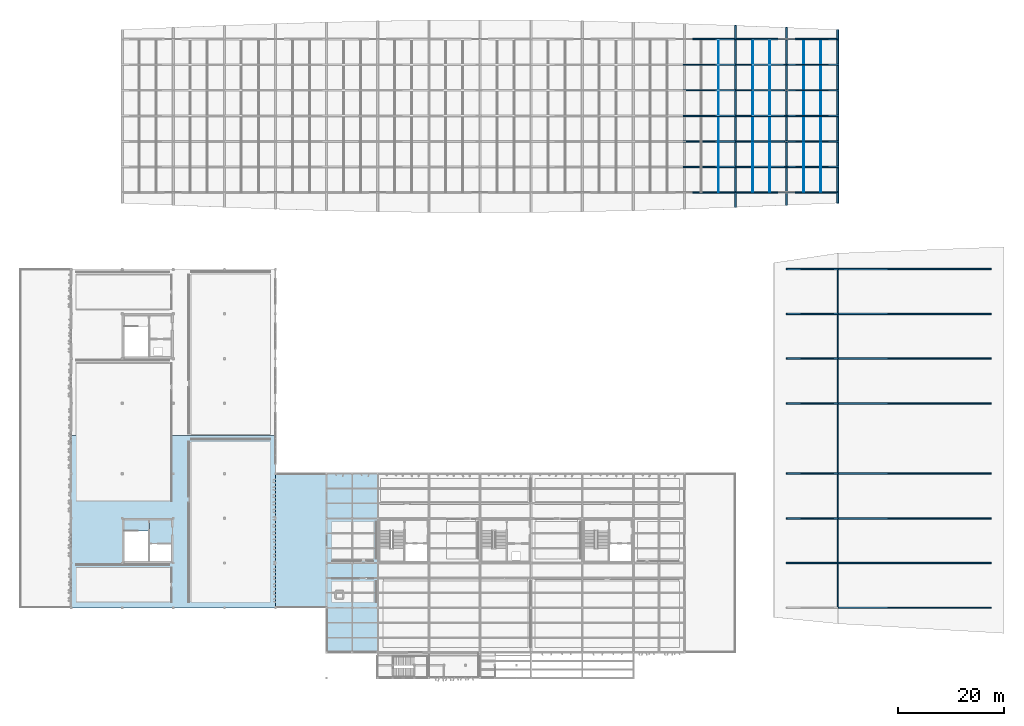
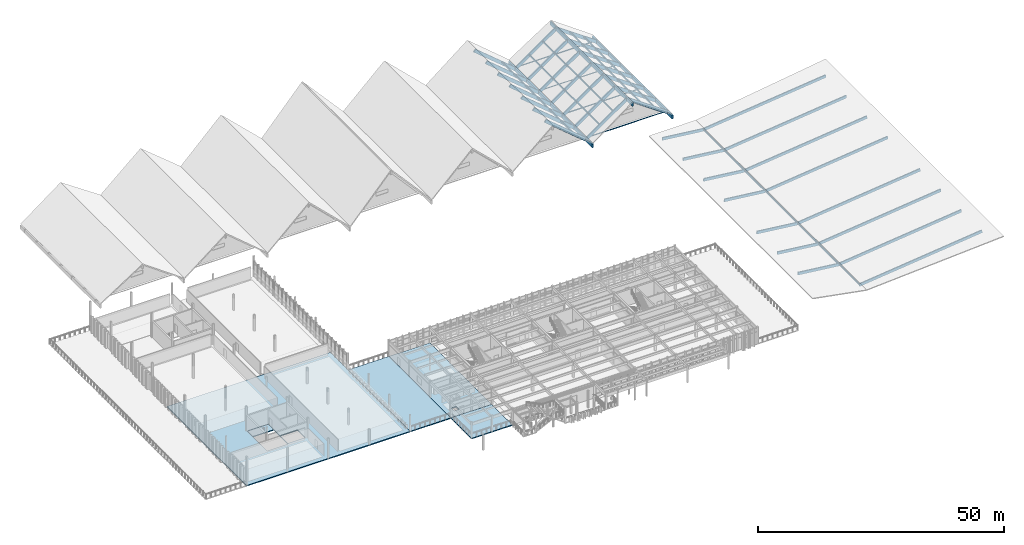
# One storey, part 17 of 42: 62 members, 7 beams, 5 slabs.
"""IFC4 building model written with IfcOpenShell, lengths in metres."""

from ifc_helpers import new_model, si_unit, direction, frame, origin, origin_2d, place, context, subcontext, project, spatial, polyline, rectangle, hollow_circle, i_section, outline, extrude, material, layer, layer_set, material_profile, profile_set, type_object, element, save


model = new_model("IFC4")

# Units and contexts
model_context = context("Model", 3, precision=1e-05, world=origin(), true_north=direction((0.0, 1.0)))
body_context = subcontext(model_context, "Body", "Model", "MODEL_VIEW")
ifc_project = project(units=[si_unit("LENGTHUNIT", "METRE"), si_unit("AREAUNIT", "SQUARE_METRE"), si_unit("VOLUMEUNIT", "CUBIC_METRE"), si_unit("PLANEANGLEUNIT", "RADIAN"), si_unit("MASSUNIT", "GRAM", prefix="KILO")], contexts=[model_context])

# Site, building, storey
site_placement = place(None, origin())
site = spatial("IfcSite", under=ifc_project, at=site_placement, CompositionType="ELEMENT")
building_placement = place(site_placement, origin())
building = spatial("IfcBuilding", under=site, at=building_placement, Name="Kolvemor Railside Polytechnic", CompositionType="ELEMENT")
storey_placement = place(building_placement, frame((0.0, 0.0, 14.39990234375)))
storey = spatial("IfcBuildingStorey", under=building, at=storey_placement, Name="L03", CompositionType="ELEMENT", Elevation=14.39990234375)

# Beams
ifc_material_1 = material(Name="Steel S355", Category="steel")
ifc_material_profile_1 = material_profile(ifc_material_1, i_section(OverallWidth=0.178955078125, OverallDepth=0.409912109375, WebThickness=0.0087890625, FlangeThickness=0.014404296875, FilletRadius=0.010986328125, at=origin_2d()), Name="W410x67")
ifc_profile_set_1 = profile_set([ifc_material_profile_1], Name="Steel S355")
beam_type = type_object("IfcBeamType", Name="BM-ST-ROOF2", PredefinedType="BEAM", material=ifc_profile_set_1)
beam_1_placement = place(storey_placement, frame((153.60009765625, 13.199951171875, -0.449951171875), z_axis=(0.0, 1.0, 0.0), x_axis=(-1.0, 0.0, 0.0)))
element("IfcBeam", 1, at=beam_1_placement, inside=storey, type_object=beam_type, Name="Refectory Wing Fold Beam B-ST1-13", PredefinedType="BEAM", context=body_context, shape_type="SweptSolid", body=[
    extrude(i_section(OverallWidth=0.178955078125, OverallDepth=0.409912109375, WebThickness=0.0087890625, FlangeThickness=0.014404296875, FilletRadius=0.010986328125, at=origin_2d()), origin(), (0.0, 0.0, 1.0), 8.400146484375),
])
for number, where, z_axis, x_axis, name in (
    (2, (153.60009765625, 21.60009765625, -0.449951171875), (0.0, 1.0, 0.0), (-1.0, 0.0, 0.0), "Refectory Wing Fold Beam B-ST1-21"),
    (3, (153.60009765625, 30.0, -0.449951171875), (0.0, 1.0, 0.0), (-1.0, 0.0, 0.0), "Refectory Wing Fold Beam B-ST1-30"),
):
    element("IfcBeam", number, at=place(storey_placement, frame(where, z_axis=z_axis, x_axis=x_axis)), inside=storey, type_object=beam_type, Name=name, PredefinedType="BEAM", context=body_context, shape_type="SweptSolid", body=[
        extrude(i_section(OverallWidth=0.178955078125, OverallDepth=0.409912109375, WebThickness=0.0087890625, FlangeThickness=0.014404296875, FilletRadius=0.010986328125, at=origin_2d()), origin(), (0.0, 0.0, 1.0), 8.39990234375),
    ])
beam_2_placement = place(storey_placement, frame((153.60009765625, 38.39990234375, -0.449951171875), z_axis=(0.0, 1.0, 0.0), x_axis=(-1.0, 0.0, 0.0)))
element("IfcBeam", 4, at=beam_2_placement, inside=storey, type_object=beam_type, Name="Refectory Wing Fold Beam B-ST1-38", PredefinedType="BEAM", context=body_context, shape_type="SweptSolid", body=[
    extrude(i_section(OverallWidth=0.178955078125, OverallDepth=0.409912109375, WebThickness=0.0087890625, FlangeThickness=0.014404296875, FilletRadius=0.010986328125, at=origin_2d()), origin(), (0.0, 0.0, 1.0), 13.2001953125),
])
for number, where, z_axis, x_axis, name in (
    (5, (153.60009765625, 51.60009765625, -0.449951171875), (0.0, 1.0, 0.0), (-1.0, 0.0, 0.0), "Refectory Wing Fold Beam B-ST1-51"),
    (6, (153.60009765625, 60.0, -0.449951171875), (0.0, 1.0, 0.0), (-1.0, 0.0, 0.0), "Refectory Wing Fold Beam B-ST1-60"),
):
    element("IfcBeam", number, at=place(storey_placement, frame(where, z_axis=z_axis, x_axis=x_axis)), inside=storey, type_object=beam_type, Name=name, PredefinedType="BEAM", context=body_context, shape_type="SweptSolid", body=[
        extrude(i_section(OverallWidth=0.178955078125, OverallDepth=0.409912109375, WebThickness=0.0087890625, FlangeThickness=0.014404296875, FilletRadius=0.010986328125, at=origin_2d()), origin(), (0.0, 0.0, 1.0), 8.39990234375),
    ])
beam_3_placement = place(storey_placement, frame((153.60009765625, 68.39990234375, -0.449951171875), z_axis=(0.0, 1.0, 0.0), x_axis=(-1.0, 0.0, 0.0)))
element("IfcBeam", 7, at=beam_3_placement, inside=storey, type_object=beam_type, Name="Refectory Wing Fold Beam B-ST1-68", PredefinedType="BEAM", context=body_context, shape_type="SweptSolid", body=[
    extrude(i_section(OverallWidth=0.178955078125, OverallDepth=0.409912109375, WebThickness=0.0087890625, FlangeThickness=0.014404296875, FilletRadius=0.010986328125, at=origin_2d()), origin(), (0.0, 0.0, 1.0), 8.400146484375),
])

# Members
ifc_material_2 = material(Name="Glulam GL28h", Category="wood")
ifc_material_profile_2 = material_profile(ifc_material_2, rectangle(XDim=0.31494140625, YDim=0.89990234375, at=origin_2d()), Name="GL315x900")
ifc_profile_set_2 = profile_set([ifc_material_profile_2], Name="Glulam GL28h")
member_type_1 = type_object("IfcMemberType", Name="MEM-FP-CHORD", PredefinedType="CHORD", material=ifc_profile_set_2)
member_1_placement = place(storey_placement, frame((134.39990234375, 88.4189453125, -4.96875), z_axis=(0.0, 1.0, 0.0), x_axis=(-1.0, 0.0, 0.0)))
element("IfcMember", 8, at=member_1_placement, inside=storey, type_object=member_type_1, Name="Folded-Plate Valley Chord CH-V7-1", PredefinedType="CHORD", context=body_context, shape_type="SweptSolid", body=[
    extrude(rectangle(XDim=0.31494140625, YDim=0.89990234375, at=origin_2d()), origin(), (0.0, 0.0, 1.0), 2.781005859375),
])
member_2_placement = place(storey_placement, frame((134.39990234375, 91.199951171875, -4.96875), z_axis=(0.0, 1.0, 0.0), x_axis=(-1.0, 0.0, 0.0)))
element("IfcMember", 9, at=member_2_placement, inside=storey, type_object=member_type_1, Name="Folded-Plate Valley Chord CH-V7-2", PredefinedType="CHORD", context=body_context, shape_type="SweptSolid", body=[
    extrude(rectangle(XDim=0.31494140625, YDim=0.89990234375, at=origin_2d()), origin(), (0.0, 0.0, 1.0), 9.60009765625),
])
member_3_placement = place(storey_placement, frame((134.39990234375, 100.800048828125, -4.96875), z_axis=(0.0, 1.0, 0.0), x_axis=(-1.0, 0.0, 0.0)))
element("IfcMember", 10, at=member_3_placement, inside=storey, type_object=member_type_1, Name="Folded-Plate Valley Chord CH-V7-3", PredefinedType="CHORD", context=body_context, shape_type="SweptSolid", body=[
    extrude(rectangle(XDim=0.31494140625, YDim=0.89990234375, at=origin_2d()), origin(), (0.0, 0.0, 1.0), 19.199951171875),
])
member_4_placement = place(storey_placement, frame((134.39990234375, 120.0, -4.96875), z_axis=(0.0, 1.0, 0.0), x_axis=(-1.0, 0.0, 0.0)))
element("IfcMember", 11, at=member_4_placement, inside=storey, type_object=member_type_1, Name="Folded-Plate Valley Chord CH-V7-4", PredefinedType="CHORD", context=body_context, shape_type="SweptSolid", body=[
    extrude(rectangle(XDim=0.31494140625, YDim=0.89990234375, at=origin_2d()), origin(), (0.0, 0.0, 1.0), 2.5810546875),
])
member_5_placement = place(storey_placement, frame((153.60009765625, 89.199951171875, -4.96875), z_axis=(0.0, 1.0, 0.0), x_axis=(-1.0, 0.0, 0.0)))
element("IfcMember", 12, at=member_5_placement, inside=storey, type_object=member_type_1, Name="Folded-Plate Valley Chord CH-V8-1", PredefinedType="CHORD", context=body_context, shape_type="SweptSolid", body=[
    extrude(rectangle(XDim=0.31494140625, YDim=0.89990234375, at=origin_2d()), origin(), (0.0, 0.0, 1.0), 2.0),
])
member_6_placement = place(storey_placement, frame((153.60009765625, 91.199951171875, -4.96875), z_axis=(0.0, 1.0, 0.0), x_axis=(-1.0, 0.0, 0.0)))
element("IfcMember", 13, at=member_6_placement, inside=storey, type_object=member_type_1, Name="Folded-Plate Valley Chord CH-V8-2", PredefinedType="CHORD", context=body_context, shape_type="SweptSolid", body=[
    extrude(rectangle(XDim=0.31494140625, YDim=0.89990234375, at=origin_2d()), origin(), (0.0, 0.0, 1.0), 9.60009765625),
])
member_7_placement = place(storey_placement, frame((153.60009765625, 100.800048828125, -4.96875), z_axis=(0.0, 1.0, 0.0), x_axis=(-1.0, 0.0, 0.0)))
element("IfcMember", 14, at=member_7_placement, inside=storey, type_object=member_type_1, Name="Folded-Plate Valley Chord CH-V8-3", PredefinedType="CHORD", context=body_context, shape_type="SweptSolid", body=[
    extrude(rectangle(XDim=0.31494140625, YDim=0.89990234375, at=origin_2d()), origin(), (0.0, 0.0, 1.0), 19.199951171875),
])
member_8_placement = place(storey_placement, frame((153.60009765625, 120.0, -4.96875), z_axis=(0.0, 1.0, 0.0), x_axis=(-1.0, 0.0, 0.0)))
element("IfcMember", 15, at=member_8_placement, inside=storey, type_object=member_type_1, Name="Folded-Plate Valley Chord CH-V8-4", PredefinedType="CHORD", context=body_context, shape_type="SweptSolid", body=[
    extrude(rectangle(XDim=0.31494140625, YDim=0.89990234375, at=origin_2d()), origin(), (0.0, 0.0, 1.0), 1.800048828125),
])
member_9_placement = place(storey_placement, frame((144.0, 88.799072265625, 1.75732421875), z_axis=(0.0, 1.0, 0.0), x_axis=(-1.0, 0.0, 0.0)))
element("IfcMember", 16, at=member_9_placement, inside=storey, type_object=member_type_1, Name="Folded-Plate Ridge Chord CH-R7-1", PredefinedType="CHORD", context=body_context, shape_type="SweptSolid", body=[
    extrude(rectangle(XDim=0.31494140625, YDim=0.89990234375, at=origin_2d()), origin(), (0.0, 0.0, 1.0), 2.40087890625),
])
member_10_placement = place(storey_placement, frame((144.0, 91.199951171875, 1.75732421875), z_axis=(0.0, 1.0, 0.0), x_axis=(-1.0, 0.0, 0.0)))
element("IfcMember", 17, at=member_10_placement, inside=storey, type_object=member_type_1, Name="Folded-Plate Ridge Chord CH-R7-2", PredefinedType="CHORD", context=body_context, shape_type="SweptSolid", body=[
    extrude(rectangle(XDim=0.31494140625, YDim=0.89990234375, at=origin_2d()), origin(), (0.0, 0.0, 1.0), 9.60009765625),
])
member_11_placement = place(storey_placement, frame((144.0, 100.800048828125, 1.75732421875), z_axis=(0.0, 1.0, 0.0), x_axis=(-1.0, 0.0, 0.0)))
element("IfcMember", 18, at=member_11_placement, inside=storey, type_object=member_type_1, Name="Folded-Plate Ridge Chord CH-R7-3", PredefinedType="CHORD", context=body_context, shape_type="SweptSolid", body=[
    extrude(rectangle(XDim=0.31494140625, YDim=0.89990234375, at=origin_2d()), origin(), (0.0, 0.0, 1.0), 19.199951171875),
])
member_12_placement = place(storey_placement, frame((144.0, 120.0, 1.75732421875), z_axis=(0.0, 1.0, 0.0), x_axis=(-1.0, 0.0, 0.0)))
element("IfcMember", 19, at=member_12_placement, inside=storey, type_object=member_type_1, Name="Folded-Plate Ridge Chord CH-R7-4", PredefinedType="CHORD", context=body_context, shape_type="SweptSolid", body=[
    extrude(rectangle(XDim=0.31494140625, YDim=0.89990234375, at=origin_2d()), origin(), (0.0, 0.0, 1.0), 2.200927734375),
])
ifc_material_3 = material(Name="Glulam GL28h", Category="wood")
ifc_material_profile_3 = material_profile(ifc_material_3, rectangle(XDim=0.18505859375, YDim=0.360107421875, at=origin_2d()), Name="GL185x360")
ifc_profile_set_3 = profile_set([ifc_material_profile_3], Name="Glulam GL28h")
member_type_2 = type_object("IfcMemberType", Name="MEM-FP-PURLIN", PredefinedType="PURLIN", material=ifc_profile_set_3)
member_13_placement = place(storey_placement, frame((131.199951171875, 91.199951171875, -2.080078125), z_axis=(0.0, 1.0, 0.0), x_axis=(-1.0, 0.0, 0.0)))
element("IfcMember", 20, at=member_13_placement, inside=storey, type_object=member_type_2, Name="Folded-Plate Purlin PR-E6-1", PredefinedType="PURLIN", context=body_context, shape_type="SweptSolid", body=[
    extrude(rectangle(XDim=0.18505859375, YDim=0.360107421875, at=origin_2d()), origin(), (0.0, 0.0, 1.0), 9.60009765625),
])
member_14_placement = place(storey_placement, frame((131.199951171875, 100.800048828125, -2.080078125), z_axis=(0.0, 1.0, 0.0), x_axis=(-1.0, 0.0, 0.0)))
element("IfcMember", 21, at=member_14_placement, inside=storey, type_object=member_type_2, Name="Folded-Plate Purlin PR-E6-1", PredefinedType="PURLIN", context=body_context, shape_type="SweptSolid", body=[
    extrude(rectangle(XDim=0.18505859375, YDim=0.360107421875, at=origin_2d()), origin(), (0.0, 0.0, 1.0), 19.199951171875),
])
for number, where, z_axis, x_axis, name in (
    (22, (137.60009765625, 91.199951171875, -2.478759765625), (0.0, 1.0, 0.0), (-1.0, 0.0, 0.0), "Folded-Plate Purlin PR-W7-1"),
    (23, (150.39990234375, 91.199951171875, -2.478759765625), (0.0, 1.0, 0.0), (-1.0, 0.0, 0.0), "Folded-Plate Purlin PR-E7-1"),
):
    element("IfcMember", number, at=place(storey_placement, frame(where, z_axis=z_axis, x_axis=x_axis)), inside=storey, type_object=member_type_2, Name=name, PredefinedType="PURLIN", context=body_context, shape_type="SweptSolid", body=[
        extrude(rectangle(XDim=0.18505859375, YDim=0.360107421875, at=origin_2d()), origin(), (0.0, 0.0, 1.0), 9.60009765625),
    ])
for number, where, z_axis, x_axis, name in (
    (24, (137.60009765625, 100.800048828125, -2.478759765625), (0.0, 1.0, 0.0), (-1.0, 0.0, 0.0), "Folded-Plate Purlin PR-W7-1"),
    (25, (150.39990234375, 100.800048828125, -2.478759765625), (0.0, 1.0, 0.0), (-1.0, 0.0, 0.0), "Folded-Plate Purlin PR-E7-1"),
):
    element("IfcMember", number, at=place(storey_placement, frame(where, z_axis=z_axis, x_axis=x_axis)), inside=storey, type_object=member_type_2, Name=name, PredefinedType="PURLIN", context=body_context, shape_type="SweptSolid", body=[
        extrude(rectangle(XDim=0.18505859375, YDim=0.360107421875, at=origin_2d()), origin(), (0.0, 0.0, 1.0), 19.199951171875),
    ])
for number, where, z_axis, x_axis, name in (
    (26, (140.800048828125, 91.199951171875, -0.245361328125), (0.0, 1.0, 0.0), (-1.0, 0.0, 0.0), "Folded-Plate Purlin PR-W7-2"),
    (27, (147.199951171875, 91.199951171875, -0.245361328125), (0.0, 1.0, 0.0), (-1.0, 0.0, 0.0), "Folded-Plate Purlin PR-E7-2"),
):
    element("IfcMember", number, at=place(storey_placement, frame(where, z_axis=z_axis, x_axis=x_axis)), inside=storey, type_object=member_type_2, Name=name, PredefinedType="PURLIN", context=body_context, shape_type="SweptSolid", body=[
        extrude(rectangle(XDim=0.18505859375, YDim=0.360107421875, at=origin_2d()), origin(), (0.0, 0.0, 1.0), 9.60009765625),
    ])
for number, where, z_axis, x_axis, name in (
    (28, (140.800048828125, 100.800048828125, -0.245361328125), (0.0, 1.0, 0.0), (-1.0, 0.0, 0.0), "Folded-Plate Purlin PR-W7-2"),
    (29, (147.199951171875, 100.800048828125, -0.245361328125), (0.0, 1.0, 0.0), (-1.0, 0.0, 0.0), "Folded-Plate Purlin PR-E7-2"),
):
    element("IfcMember", number, at=place(storey_placement, frame(where, z_axis=z_axis, x_axis=x_axis)), inside=storey, type_object=member_type_2, Name=name, PredefinedType="PURLIN", context=body_context, shape_type="SweptSolid", body=[
        extrude(rectangle(XDim=0.18505859375, YDim=0.360107421875, at=origin_2d()), origin(), (0.0, 0.0, 1.0), 19.199951171875),
    ])
ifc_material_4 = material(Name="Glulam GL28h", Category="wood")
ifc_material_profile_4 = material_profile(ifc_material_4, rectangle(XDim=0.264892578125, YDim=0.760009765625, at=origin_2d()), Name="GL265x760")
ifc_profile_set_4 = profile_set([ifc_material_profile_4], Name="Glulam GL28h")
member_type_3 = type_object("IfcMemberType", Name="MEM-FP-RAFTER", PredefinedType="RAFTER", material=ifc_profile_set_4)
for number, where, z_axis, x_axis, name in (
    (30, (124.800048828125, 91.199951171875, 2.992919921875), (0.768216475382, 0.0, -0.640190164679), (0.0, 1.0, 0.0), "Folded-Plate East Rafter RF-E6-1"),
    (31, (124.800048828125, 96.0, 2.992919921875), (0.768216475382, 0.0, -0.640190164679), (0.0, 1.0, 0.0), "Folded-Plate East Rafter RF-E6-2"),
    (32, (124.800048828125, 100.800048828125, 2.992919921875), (0.768216475382, 0.0, -0.640190164679), (0.0, 1.0, 0.0), "Folded-Plate East Rafter RF-E6-3"),
    (33, (124.800048828125, 105.60009765625, 2.992919921875), (0.768216475382, 0.0, -0.640190164679), (0.0, 1.0, 0.0), "Folded-Plate East Rafter RF-E6-4"),
    (34, (124.800048828125, 110.39990234375, 2.992919921875), (0.768216475382, 0.0, -0.640190164679), (0.0, 1.0, 0.0), "Folded-Plate East Rafter RF-E6-5"),
    (35, (124.800048828125, 115.199951171875, 2.992919921875), (0.768216475382, 0.0, -0.640190164679), (0.0, 1.0, 0.0), "Folded-Plate East Rafter RF-E6-6"),
    (36, (124.800048828125, 120.0, 2.992919921875), (0.768216475382, 0.0, -0.640190164679), (0.0, 1.0, 0.0), "Folded-Plate East Rafter RF-E6-7"),
):
    element("IfcMember", number, at=place(storey_placement, frame(where, z_axis=z_axis, x_axis=x_axis)), inside=storey, type_object=member_type_3, Name=name, PredefinedType="RAFTER", context=body_context, shape_type="SweptSolid", body=[
        extrude(rectangle(XDim=0.264892578125, YDim=0.760009765625, at=origin_2d()), origin(), (0.0, 0.0, 1.0), 12.496337890625),
    ])
for number, where, z_axis, x_axis, name in (
    (37, (134.39990234375, 91.199951171875, -4.9560546875), (0.820038413618, 0.0, 0.572308483417), (0.0, 1.0, 0.0), "Folded-Plate West Rafter RF-W7-1"),
    (38, (144.0, 91.199951171875, 1.743896484375), (0.820038413618, 0.0, -0.572308483417), (0.0, 1.0, 0.0), "Folded-Plate East Rafter RF-E7-1"),
    (39, (134.39990234375, 96.0, -4.9560546875), (0.820038413618, 0.0, 0.572308483417), (0.0, 1.0, 0.0), "Folded-Plate West Rafter RF-W7-2"),
    (40, (144.0, 96.0, 1.743896484375), (0.820038413618, 0.0, -0.572308483417), (0.0, 1.0, 0.0), "Folded-Plate East Rafter RF-E7-2"),
    (41, (134.39990234375, 100.800048828125, -4.9560546875), (0.820038413618, 0.0, 0.572308483417), (0.0, 1.0, 0.0), "Folded-Plate West Rafter RF-W7-3"),
    (42, (144.0, 100.800048828125, 1.743896484375), (0.820038413618, 0.0, -0.572308483417), (0.0, 1.0, 0.0), "Folded-Plate East Rafter RF-E7-3"),
    (43, (134.39990234375, 105.60009765625, -4.9560546875), (0.820038413618, 0.0, 0.572308483417), (0.0, 1.0, 0.0), "Folded-Plate West Rafter RF-W7-4"),
    (44, (144.0, 105.60009765625, 1.743896484375), (0.820038413618, 0.0, -0.572308483417), (0.0, 1.0, 0.0), "Folded-Plate East Rafter RF-E7-4"),
    (45, (134.39990234375, 110.39990234375, -4.9560546875), (0.820038413618, 0.0, 0.572308483417), (0.0, 1.0, 0.0), "Folded-Plate West Rafter RF-W7-5"),
    (46, (144.0, 110.39990234375, 1.743896484375), (0.820038413618, 0.0, -0.572308483417), (0.0, 1.0, 0.0), "Folded-Plate East Rafter RF-E7-5"),
    (47, (134.39990234375, 115.199951171875, -4.9560546875), (0.820038413618, 0.0, 0.572308483417), (0.0, 1.0, 0.0), "Folded-Plate West Rafter RF-W7-6"),
    (48, (144.0, 115.199951171875, 1.743896484375), (0.820038413618, 0.0, -0.572308483417), (0.0, 1.0, 0.0), "Folded-Plate East Rafter RF-E7-6"),
    (49, (134.39990234375, 120.0, -4.9560546875), (0.820038413618, 0.0, 0.572308483417), (0.0, 1.0, 0.0), "Folded-Plate West Rafter RF-W7-7"),
    (50, (144.0, 120.0, 1.743896484375), (0.820038413618, 0.0, -0.572308483417), (0.0, 1.0, 0.0), "Folded-Plate East Rafter RF-E7-7"),
):
    element("IfcMember", number, at=place(storey_placement, frame(where, z_axis=z_axis, x_axis=x_axis)), inside=storey, type_object=member_type_3, Name=name, PredefinedType="RAFTER", context=body_context, shape_type="SweptSolid", body=[
        extrude(rectangle(XDim=0.264892578125, YDim=0.760009765625, at=origin_2d()), origin(), (0.0, 0.0, 1.0), 11.706787109375),
    ])
ifc_material_5 = material(Name="Steel S355", Category="steel")
ifc_material_profile_5 = material_profile(ifc_material_5, hollow_circle(Radius=0.084228515625, WallThickness=0.008056640625, at=origin_2d()), Name="CHS168.3x8")
ifc_profile_set_5 = profile_set([ifc_material_profile_5], Name="Steel S355")
member_type_4 = type_object("IfcMemberType", Name="MEM-FP-TIE", PredefinedType="COLLAR", material=ifc_profile_set_5)
for number, where, z_axis, x_axis, name in (
    (51, (134.39990234375, 100.800048828125, -4.599853515625), (1.0, 0.0, 0.0), (0.0, 1.0, 0.0), "Folded-Plate Collar Tie CT-7-2"),
    (52, (134.39990234375, 120.0, -4.599853515625), (1.0, 0.0, 0.0), (0.0, 1.0, 0.0), "Folded-Plate Collar Tie CT-7-4"),
):
    element("IfcMember", number, at=place(storey_placement, frame(where, z_axis=z_axis, x_axis=x_axis)), inside=storey, type_object=member_type_4, Name=name, PredefinedType="COLLAR", context=body_context, shape_type="SweptSolid", body=[
        extrude(hollow_circle(Radius=0.084228515625, WallThickness=0.008056640625, at=origin_2d()), origin(), (0.0, 0.0, 1.0), 19.2001953125),
    ])
ifc_material_6 = material(Name="Steel S355", Category="steel")
ifc_material_profile_6 = material_profile(ifc_material_6, hollow_circle(Radius=0.06982421875, WallThickness=0.008056640625, at=origin_2d()), Name="CHS139.7x8")
ifc_profile_set_6 = profile_set([ifc_material_profile_6], Name="Steel S355")
member_type_5 = type_object("IfcMemberType", Name="MEM-FP-TIE2", PredefinedType="COLLAR", material=ifc_profile_set_6)
for number, where, z_axis, x_axis, name in (
    (53, (134.39990234375, 91.199951171875, -4.599853515625), (1.0, 0.0, 0.0), (0.0, 1.0, 0.0), "Folded-Plate Collar Tie CT-7-1"),
    (54, (134.39990234375, 110.39990234375, -4.599853515625), (1.0, 0.0, 0.0), (0.0, 1.0, 0.0), "Folded-Plate Collar Tie CT-7-3"),
):
    element("IfcMember", number, at=place(storey_placement, frame(where, z_axis=z_axis, x_axis=x_axis)), inside=storey, type_object=member_type_5, Name=name, PredefinedType="COLLAR", context=body_context, shape_type="SweptSolid", body=[
        extrude(hollow_circle(Radius=0.06982421875, WallThickness=0.008056640625, at=origin_2d()), origin(), (0.0, 0.0, 1.0), 19.2001953125),
    ])
ifc_material_7 = material(Name="Glulam GL28h", Category="wood")
ifc_material_profile_7 = material_profile(ifc_material_7, rectangle(XDim=0.264892578125, YDim=0.679931640625, at=origin_2d()), Name="GL265x680")
ifc_profile_set_7 = profile_set([ifc_material_profile_7], Name="Glulam GL28h")
member_type_6 = type_object("IfcMemberType", Name="MEM-WG-RAFTER", PredefinedType="RAFTER", material=ifc_profile_set_7)
member_15_placement = place(storey_placement, frame((153.60009765625, 13.199951171875, -0.579833984375), z_axis=(0.993576875742, 0.0, 0.113159144532), x_axis=(0.0, 1.0, 0.0)))
element("IfcMember", 55, at=member_15_placement, inside=storey, type_object=member_type_6, Name="Refectory Wing Swept Rafter RF-V4E-13", PredefinedType="RAFTER", context=body_context, shape_type="SweptSolid", body=[
    extrude(rectangle(XDim=0.264892578125, YDim=0.679931640625, at=origin_2d()), origin(), (0.0, 0.0, 1.0), 28.986083984375),
])
member_16_placement = place(storey_placement, frame((144.0, 21.60009765625, 0.52001953125), z_axis=(0.993501118324, 0.0, -0.113822352323), x_axis=(0.0, 1.0, 0.0)))
element("IfcMember", 56, at=member_16_placement, inside=storey, type_object=member_type_6, Name="Refectory Wing Counter Rafter RF-V4W-21", PredefinedType="RAFTER", context=body_context, shape_type="SweptSolid", body=[
    extrude(rectangle(XDim=0.264892578125, YDim=0.679931640625, at=origin_2d()), origin(), (0.0, 0.0, 1.0), 9.662841796875),
])
member_17_placement = place(storey_placement, frame((153.60009765625, 21.60009765625, -0.579833984375), z_axis=(0.993576875742, 0.0, 0.113159144532), x_axis=(0.0, 1.0, 0.0)))
element("IfcMember", 57, at=member_17_placement, inside=storey, type_object=member_type_6, Name="Refectory Wing Swept Rafter RF-V4E-21", PredefinedType="RAFTER", context=body_context, shape_type="SweptSolid", body=[
    extrude(rectangle(XDim=0.264892578125, YDim=0.679931640625, at=origin_2d()), origin(), (0.0, 0.0, 1.0), 28.986083984375),
])
member_18_placement = place(storey_placement, frame((144.0, 30.0, 0.52001953125), z_axis=(0.993501118324, 0.0, -0.113822352323), x_axis=(0.0, 1.0, 0.0)))
element("IfcMember", 58, at=member_18_placement, inside=storey, type_object=member_type_6, Name="Refectory Wing Counter Rafter RF-V4W-30", PredefinedType="RAFTER", context=body_context, shape_type="SweptSolid", body=[
    extrude(rectangle(XDim=0.264892578125, YDim=0.679931640625, at=origin_2d()), origin(), (0.0, 0.0, 1.0), 9.662841796875),
])
member_19_placement = place(storey_placement, frame((153.60009765625, 30.0, -0.579833984375), z_axis=(0.993576875742, 0.0, 0.113159144532), x_axis=(0.0, 1.0, 0.0)))
element("IfcMember", 59, at=member_19_placement, inside=storey, type_object=member_type_6, Name="Refectory Wing Swept Rafter RF-V4E-30", PredefinedType="RAFTER", context=body_context, shape_type="SweptSolid", body=[
    extrude(rectangle(XDim=0.264892578125, YDim=0.679931640625, at=origin_2d()), origin(), (0.0, 0.0, 1.0), 28.986083984375),
])
member_20_placement = place(storey_placement, frame((144.0, 38.39990234375, 0.52001953125), z_axis=(0.993501118324, 0.0, -0.113822352323), x_axis=(0.0, 1.0, 0.0)))
element("IfcMember", 60, at=member_20_placement, inside=storey, type_object=member_type_6, Name="Refectory Wing Counter Rafter RF-V4W-38", PredefinedType="RAFTER", context=body_context, shape_type="SweptSolid", body=[
    extrude(rectangle(XDim=0.264892578125, YDim=0.679931640625, at=origin_2d()), origin(), (0.0, 0.0, 1.0), 9.662841796875),
])
member_21_placement = place(storey_placement, frame((153.60009765625, 38.39990234375, -0.579833984375), z_axis=(0.993576875742, 0.0, 0.113159144532), x_axis=(0.0, 1.0, 0.0)))
element("IfcMember", 61, at=member_21_placement, inside=storey, type_object=member_type_6, Name="Refectory Wing Swept Rafter RF-V4E-38", PredefinedType="RAFTER", context=body_context, shape_type="SweptSolid", body=[
    extrude(rectangle(XDim=0.264892578125, YDim=0.679931640625, at=origin_2d()), origin(), (0.0, 0.0, 1.0), 28.986083984375),
])
member_22_placement = place(storey_placement, frame((144.0, 51.60009765625, 0.52001953125), z_axis=(0.993501118324, 0.0, -0.113822352323), x_axis=(0.0, 1.0, 0.0)))
element("IfcMember", 62, at=member_22_placement, inside=storey, type_object=member_type_6, Name="Refectory Wing Counter Rafter RF-V4W-51", PredefinedType="RAFTER", context=body_context, shape_type="SweptSolid", body=[
    extrude(rectangle(XDim=0.264892578125, YDim=0.679931640625, at=origin_2d()), origin(), (0.0, 0.0, 1.0), 9.662841796875),
])
member_23_placement = place(storey_placement, frame((153.60009765625, 51.60009765625, -0.579833984375), z_axis=(0.993576875742, 0.0, 0.113159144532), x_axis=(0.0, 1.0, 0.0)))
element("IfcMember", 63, at=member_23_placement, inside=storey, type_object=member_type_6, Name="Refectory Wing Swept Rafter RF-V4E-51", PredefinedType="RAFTER", context=body_context, shape_type="SweptSolid", body=[
    extrude(rectangle(XDim=0.264892578125, YDim=0.679931640625, at=origin_2d()), origin(), (0.0, 0.0, 1.0), 28.986083984375),
])
member_24_placement = place(storey_placement, frame((144.0, 60.0, 0.52001953125), z_axis=(0.993501118324, 0.0, -0.113822352323), x_axis=(0.0, 1.0, 0.0)))
element("IfcMember", 64, at=member_24_placement, inside=storey, type_object=member_type_6, Name="Refectory Wing Counter Rafter RF-V4W-60", PredefinedType="RAFTER", context=body_context, shape_type="SweptSolid", body=[
    extrude(rectangle(XDim=0.264892578125, YDim=0.679931640625, at=origin_2d()), origin(), (0.0, 0.0, 1.0), 9.662841796875),
])
member_25_placement = place(storey_placement, frame((153.60009765625, 60.0, -0.579833984375), z_axis=(0.993576875742, 0.0, 0.113159144532), x_axis=(0.0, 1.0, 0.0)))
element("IfcMember", 65, at=member_25_placement, inside=storey, type_object=member_type_6, Name="Refectory Wing Swept Rafter RF-V4E-60", PredefinedType="RAFTER", context=body_context, shape_type="SweptSolid", body=[
    extrude(rectangle(XDim=0.264892578125, YDim=0.679931640625, at=origin_2d()), origin(), (0.0, 0.0, 1.0), 28.986083984375),
])
member_26_placement = place(storey_placement, frame((144.0, 68.39990234375, 0.52001953125), z_axis=(0.993501118324, 0.0, -0.113822352323), x_axis=(0.0, 1.0, 0.0)))
element("IfcMember", 66, at=member_26_placement, inside=storey, type_object=member_type_6, Name="Refectory Wing Counter Rafter RF-V4W-68", PredefinedType="RAFTER", context=body_context, shape_type="SweptSolid", body=[
    extrude(rectangle(XDim=0.264892578125, YDim=0.679931640625, at=origin_2d()), origin(), (0.0, 0.0, 1.0), 9.662841796875),
])
member_27_placement = place(storey_placement, frame((153.60009765625, 68.39990234375, -0.579833984375), z_axis=(0.993576875742, 0.0, 0.113159144532), x_axis=(0.0, 1.0, 0.0)))
element("IfcMember", 67, at=member_27_placement, inside=storey, type_object=member_type_6, Name="Refectory Wing Swept Rafter RF-V4E-68", PredefinedType="RAFTER", context=body_context, shape_type="SweptSolid", body=[
    extrude(rectangle(XDim=0.264892578125, YDim=0.679931640625, at=origin_2d()), origin(), (0.0, 0.0, 1.0), 28.986083984375),
])
member_28_placement = place(storey_placement, frame((144.0, 76.800048828125, 0.52001953125), z_axis=(0.993501118324, 0.0, -0.113822352323), x_axis=(0.0, 1.0, 0.0)))
element("IfcMember", 68, at=member_28_placement, inside=storey, type_object=member_type_6, Name="Refectory Wing Counter Rafter RF-V4W-76", PredefinedType="RAFTER", context=body_context, shape_type="SweptSolid", body=[
    extrude(rectangle(XDim=0.264892578125, YDim=0.679931640625, at=origin_2d()), origin(), (0.0, 0.0, 1.0), 9.662841796875),
])
member_29_placement = place(storey_placement, frame((153.60009765625, 76.800048828125, -0.579833984375), z_axis=(0.993576875742, 0.0, 0.113159144532), x_axis=(0.0, 1.0, 0.0)))
element("IfcMember", 69, at=member_29_placement, inside=storey, type_object=member_type_6, Name="Refectory Wing Swept Rafter RF-V4E-76", PredefinedType="RAFTER", context=body_context, shape_type="SweptSolid", body=[
    extrude(rectangle(XDim=0.264892578125, YDim=0.679931640625, at=origin_2d()), origin(), (0.0, 0.0, 1.0), 28.986083984375),
])

# Slabs
ifc_material_8 = material(Name="Cross-laminated timber CLT E1", Category="wood")
ifc_layer_1 = layer(ifc_material_8, 0.239990234375, Name="SLB-CLT-240")
ifc_layer_set_1 = layer_set([ifc_layer_1], Name="Cross-laminated timber CLT E1")
slab_type_1 = type_object("IfcSlabType", Name="SLB-CLT-240", PredefinedType="FLOOR", material=ifc_layer_set_1)
slab_1_placement = place(storey_placement, frame((0.0, 0.0, -0.239990234375)))
element("IfcSlab", 70, at=slab_1_placement, inside=storey, type_object=slab_type_1, Name="V3 Seminar L03 South Slab L03-76", PredefinedType="FLOOR", context=body_context, shape_type="SweptSolid", body=[
    extrude(outline(polyline([(9.60009765625, 13.199951171875), (48.0, 13.199951171875), (48.0, 45.60009765625), (9.60009765625, 45.60009765625), (9.60009765625, 13.199951171875)]), holes=[polyline([(19.340087890625, 21.739990234375), (24.31005859375, 21.739990234375), (24.31005859375, 29.860107421875), (19.340087890625, 29.860107421875), (19.340087890625, 21.739990234375)]), polyline([(24.35009765625, 21.949951171875), (28.449951171875, 21.949951171875), (28.449951171875, 25.14990234375), (24.35009765625, 25.14990234375), (24.35009765625, 21.949951171875)])]), origin(), (0.0, 0.0, 1.0), 0.239990234375),
])
ifc_material_9 = material(Name="Cross-laminated timber CLT E1", Category="wood")
ifc_layer_2 = layer(ifc_material_9, 0.2451171875, Name="SLB-CLT-245")
ifc_layer_set_2 = layer_set([ifc_layer_2], Name="Cross-laminated timber CLT E1")
slab_type_2 = type_object("IfcSlabType", Name="SLB-CLT-245", PredefinedType="FLOOR", material=ifc_layer_set_2)
slab_2_placement = place(storey_placement, frame((0.0, 0.0, -0.244873046875)))
element("IfcSlab", 71, at=slab_2_placement, inside=storey, type_object=slab_type_2, Name="V2 Shifted Band L03 CLT Slab L03-78", PredefinedType="FLOOR", context=body_context, shape_type="SweptSolid", body=[
    extrude(outline(polyline([(57.60009765625, 13.199951171875), (67.199951171875, 13.199951171875), (67.199951171875, 38.39990234375), (57.60009765625, 38.39990234375), (57.60009765625, 13.199951171875)]), holes=[polyline([(59.39990234375, 15.0), (60.60009765625, 15.0), (60.60009765625, 16.199951171875), (59.39990234375, 16.199951171875), (59.39990234375, 15.0)])]), origin(), (0.0, 0.0, 1.0), 0.244873046875),
])
ifc_material_10 = material(Name="Concrete C40/50", Category="concrete")
ifc_layer_3 = layer(ifc_material_10, 0.199951171875, Name="SLB-LND-200")
ifc_layer_set_3 = layer_set([ifc_layer_3], Name="Concrete C40/50")
slab_type_3 = type_object("IfcSlabType", Name="SLB-LND-200", PredefinedType="LANDING", material=ifc_layer_set_3)
slab_3_placement = place(storey_placement, frame((0.0, 0.0, -0.199951171875)))
element("IfcSlab", 72, at=slab_3_placement, inside=storey, type_object=slab_type_3, Name="ST-4 Floor Landing L03", PredefinedType="LANDING", context=body_context, shape_type="SweptSolid", body=[
    extrude(outline(polyline([(19.360107421875, 27.60009765625), (24.2900390625, 27.60009765625), (24.2900390625, 29.840087890625), (19.360107421875, 29.840087890625), (19.360107421875, 27.60009765625)])), origin(), (0.0, 0.0, 1.0), 0.199951171875),
])
ifc_material_11 = material(Name="Cross-laminated timber CLT E1", Category="wood")
ifc_layer_4 = layer(ifc_material_11, 0.22998046875, Name="SLB-TER-230")
ifc_layer_set_4 = layer_set([ifc_layer_4], Name="Cross-laminated timber CLT E1")
slab_type_4 = type_object("IfcSlabType", Name="SLB-TER-230", PredefinedType="FLOOR", material=ifc_layer_set_4)
slab_4_placement = place(storey_placement, frame((0.0, 0.0, -0.22998046875)))
element("IfcSlab", 73, at=slab_4_placement, inside=storey, type_object=slab_type_4, Name="Shifted West Cantilever Terrace L03 L03-92", PredefinedType="FLOOR", context=body_context, shape_type="SweptSolid", body=[
    extrude(outline(polyline([(48.0, 13.199951171875), (57.60009765625, 13.199951171875), (57.60009765625, 38.39990234375), (48.0, 38.39990234375), (48.0, 13.199951171875)])), origin(), (0.0, 0.0, 1.0), 0.22998046875),
])
slab_5_placement = place(storey_placement, frame((0.0, 0.0, -0.22998046875)))
element("IfcSlab", 74, at=slab_5_placement, inside=storey, type_object=slab_type_4, Name="Corner Study Terrace L03-SW L03-93", PredefinedType="FLOOR", context=body_context, shape_type="SweptSolid", body=[
    extrude(outline(polyline([(57.60009765625, 4.800048828125), (67.199951171875, 4.800048828125), (67.199951171875, 13.199951171875), (57.60009765625, 13.199951171875), (57.60009765625, 4.800048828125)])), origin(), (0.0, 0.0, 1.0), 0.22998046875),
])

save(model, "model.ifc")
